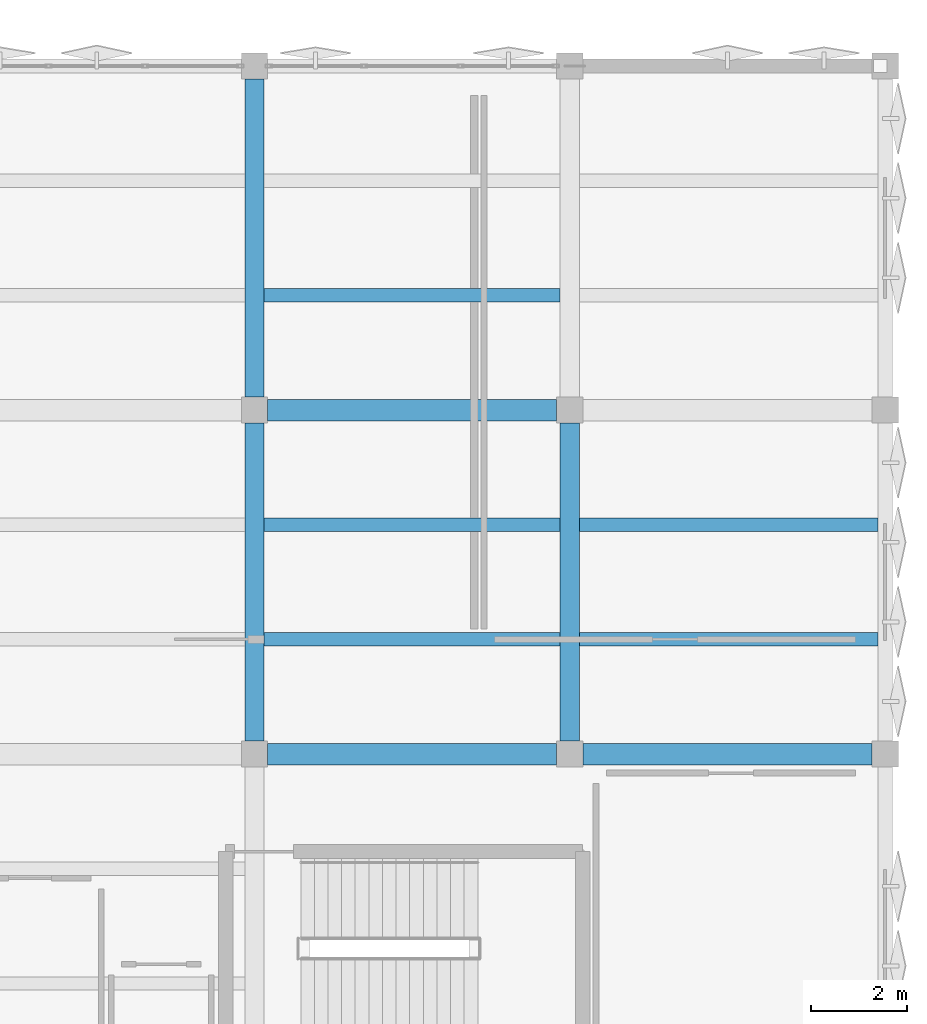
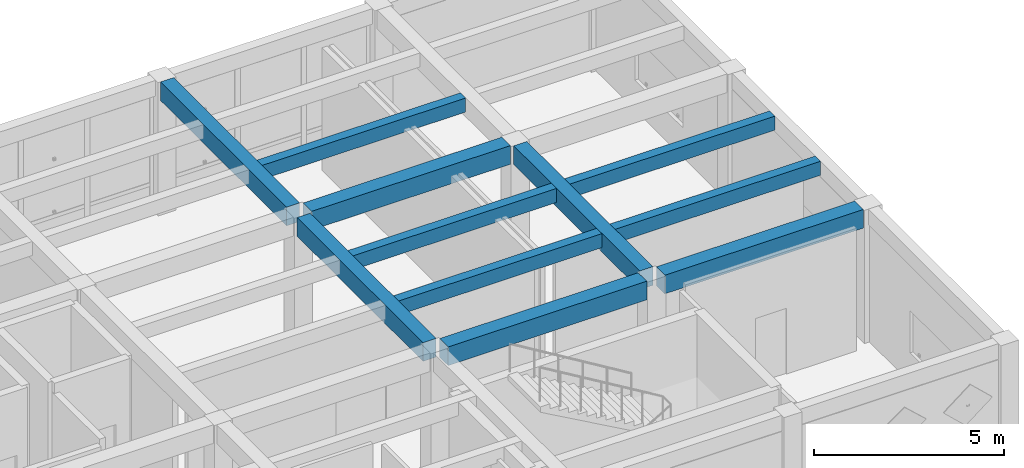
# One storey, part 19 of 39: 11 beams.
"""IFC4 building model written with IfcOpenShell, lengths in metres."""

from ifc_helpers import new_model, si_unit, direction, frame, origin, origin_2d, place, context, subcontext, project, spatial, rectangle, extrude, material, material_profile, profile_set, type_object, element, save


model = new_model("IFC4")

# Units and contexts
model_context = context("Model", 3, precision=1e-05, world=origin(), true_north=direction((0.0, 1.0)))
body_context = subcontext(model_context, "Body", "Model", "MODEL_VIEW")
ifc_project = project(units=[si_unit("LENGTHUNIT", "METRE"), si_unit("AREAUNIT", "SQUARE_METRE"), si_unit("VOLUMEUNIT", "CUBIC_METRE"), si_unit("PLANEANGLEUNIT", "RADIAN"), si_unit("MASSUNIT", "GRAM", prefix="KILO")], contexts=[model_context])

# Site, building, storey
site_placement = place(None, origin())
site = spatial("IfcSite", under=ifc_project, at=site_placement, CompositionType="ELEMENT")
building_placement = place(site_placement, origin())
building = spatial("IfcBuilding", under=site, at=building_placement, Name="Kharisveld Research Institute", CompositionType="ELEMENT")
storey_placement = place(building_placement, frame((0.0, 0.0, 23.10009765625)))
storey = spatial("IfcBuildingStorey", under=building, at=storey_placement, Name="L05", CompositionType="ELEMENT", Elevation=23.10009765625)

# Beams
ifc_material_1 = material(Name="Concrete C40/50", Category="concrete")
ifc_material_profile_1 = material_profile(ifc_material_1, rectangle(XDim=0.39990234375, YDim=0.60009765625, at=origin_2d()))
ifc_profile_set_1 = profile_set([ifc_material_profile_1], Name="Concrete C40/50")
beam_type_1 = type_object("IfcBeamType", Name="BM_RC_400x600", PredefinedType="BEAM", material=ifc_profile_set_1)
for number, where, z_axis, x_axis, name in (
    (1, (147.60009765625, 46.675048828125, 3.989990234375), (0.0, 1.0, 0.0), (-1.0, 0.0, 0.0), "BM:V2:L05:V5_1"),
    (2, (147.60009765625, 53.875, 3.989990234375), (0.0, 1.0, 0.0), (-1.0, 0.0, 0.0), "BM:V2:L05:V5_2"),
    (3, (154.199951171875, 46.675048828125, 3.989990234375), (0.0, 1.0, 0.0), (-1.0, 0.0, 0.0), "BM:V2:L05:V6_1"),
):
    element("IfcBeam", number, at=place(storey_placement, frame(where, z_axis=z_axis, x_axis=x_axis)), inside=storey, type_object=beam_type_1, Name=name, PredefinedType="BEAM", context=body_context, shape_type="SweptSolid", body=[
        extrude(rectangle(XDim=0.39990234375, YDim=0.60009765625, at=origin_2d()), origin(), (0.0, 0.0, 1.0), 6.64990234375),
    ])
ifc_material_2 = material(Name="Concrete C40/50", Category="concrete")
ifc_material_profile_2 = material_profile(ifc_material_2, rectangle(XDim=0.449951171875, YDim=0.60009765625, at=origin_2d()))
ifc_profile_set_2 = profile_set([ifc_material_profile_2], Name="Concrete C40/50")
beam_type_2 = type_object("IfcBeamType", Name="BM_RC_450x600", PredefinedType="BEAM", material=ifc_profile_set_2)
beam_1_placement = place(storey_placement, frame((147.875, 46.39990234375, 3.989990234375), z_axis=(1.0, 0.0, 0.0), x_axis=(0.0, 1.0, 0.0)))
element("IfcBeam", 4, at=beam_1_placement, inside=storey, type_object=beam_type_2, Name="BM:V2:L05:U5_1", PredefinedType="BEAM", context=body_context, shape_type="SweptSolid", body=[
    extrude(rectangle(XDim=0.449951171875, YDim=0.60009765625, at=origin_2d()), origin(), (0.0, 0.0, 1.0), 6.050048828125),
])
beam_2_placement = place(storey_placement, frame((154.47509765625, 46.39990234375, 3.989990234375), z_axis=(1.0, 0.0, 0.0), x_axis=(0.0, 1.0, 0.0)))
element("IfcBeam", 5, at=beam_2_placement, inside=storey, type_object=beam_type_2, Name="BM:V2:L05:U6_1", PredefinedType="BEAM", context=body_context, shape_type="SweptSolid", body=[
    extrude(rectangle(XDim=0.449951171875, YDim=0.60009765625, at=origin_2d()), origin(), (0.0, 0.0, 1.0), 6.0498046875),
])
beam_3_placement = place(storey_placement, frame((147.875, 53.60009765625, 3.989990234375), z_axis=(1.0, 0.0, 0.0), x_axis=(0.0, 1.0, 0.0)))
element("IfcBeam", 6, at=beam_3_placement, inside=storey, type_object=beam_type_2, Name="BM:V2:L05:U5_2", PredefinedType="BEAM", context=body_context, shape_type="SweptSolid", body=[
    extrude(rectangle(XDim=0.449951171875, YDim=0.60009765625, at=origin_2d()), origin(), (0.0, 0.0, 1.0), 6.050048828125),
])
ifc_material_3 = material(Name="Concrete C40/50", Category="concrete")
ifc_material_profile_3 = material_profile(ifc_material_3, rectangle(XDim=0.280029296875, YDim=0.449951171875, at=origin_2d()))
ifc_profile_set_3 = profile_set([ifc_material_profile_3], Name="Concrete C40/50")
beam_type_3 = type_object("IfcBeamType", Name="WB_RC_280x450", PredefinedType="JOIST", material=ifc_profile_set_3)
for number, where, z_axis, x_axis, name in (
    (7, (147.800048828125, 48.800048828125, 4.06494140625), (1.0, 0.0, 0.0), (0.0, 1.0, 0.0), "BM:V2:L05:J_5_1_R1"),
    (8, (147.800048828125, 51.199951171875, 4.06494140625), (1.0, 0.0, 0.0), (0.0, 1.0, 0.0), "BM:V2:L05:J_5_1_R2"),
    (9, (147.800048828125, 56.0, 4.06494140625), (1.0, 0.0, 0.0), (0.0, 1.0, 0.0), "BM:V2:L05:J_5_2_R1"),
):
    element("IfcBeam", number, at=place(storey_placement, frame(where, z_axis=z_axis, x_axis=x_axis)), inside=storey, type_object=beam_type_3, Name=name, PredefinedType="JOIST", context=body_context, shape_type="SweptSolid", body=[
        extrude(rectangle(XDim=0.280029296875, YDim=0.449951171875, at=origin_2d()), origin(), (0.0, 0.0, 1.0), 6.199951171875),
    ])
for number, where, z_axis, x_axis, name in (
    (10, (154.39990234375, 48.800048828125, 4.06494140625), (1.0, 0.0, 0.0), (0.0, 1.0, 0.0), "BM:V2:L05:J_6_1_R1"),
    (11, (154.39990234375, 51.199951171875, 4.06494140625), (1.0, 0.0, 0.0), (0.0, 1.0, 0.0), "BM:V2:L05:J_6_1_R2"),
):
    element("IfcBeam", number, at=place(storey_placement, frame(where, z_axis=z_axis, x_axis=x_axis)), inside=storey, type_object=beam_type_3, Name=name, PredefinedType="JOIST", context=body_context, shape_type="SweptSolid", body=[
        extrude(rectangle(XDim=0.280029296875, YDim=0.449951171875, at=origin_2d()), origin(), (0.0, 0.0, 1.0), 6.25),
    ])

save(model, "model.ifc")
